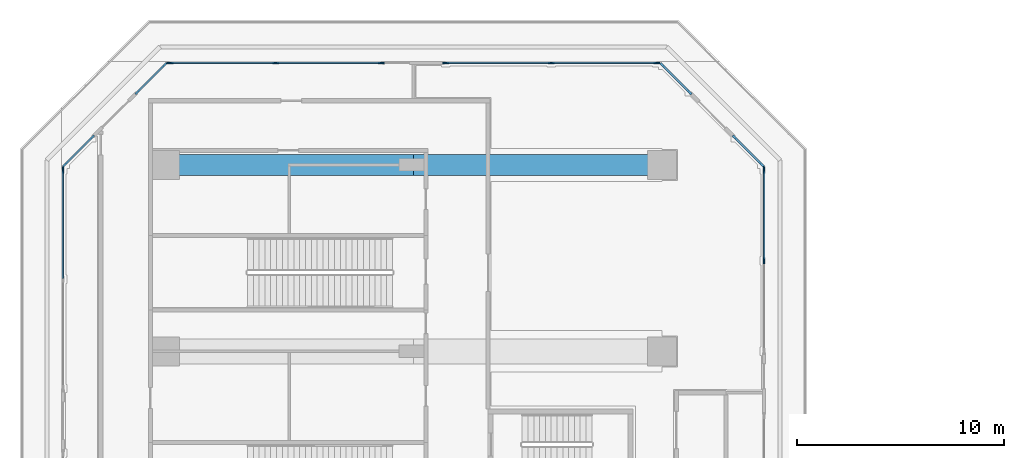
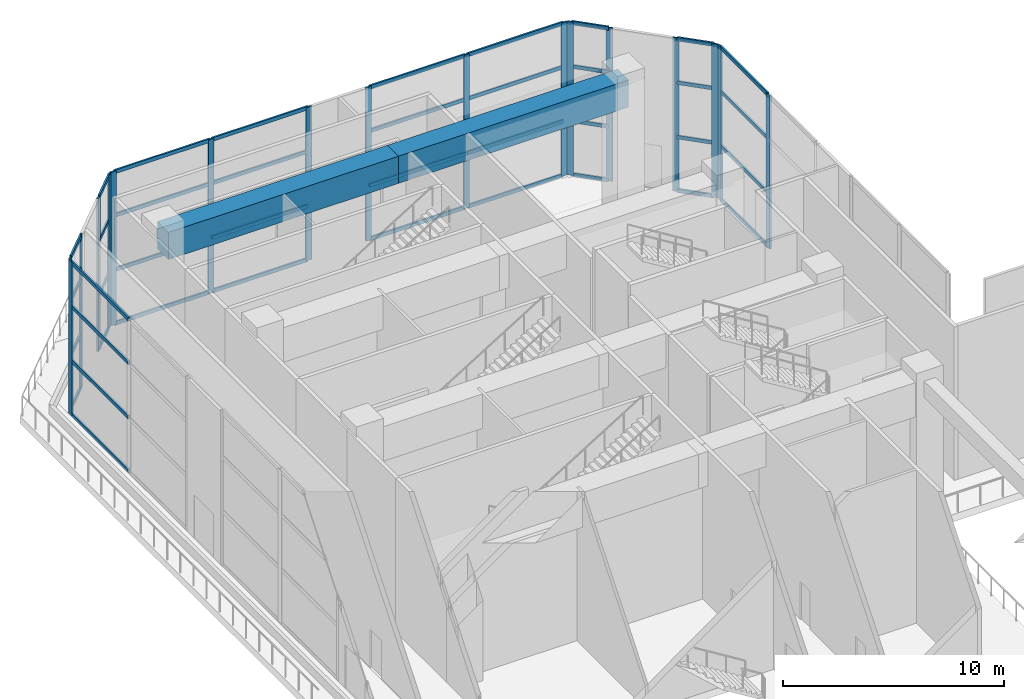
# One storey, part 8 of 28: 57 members, 2 beams, 8 elements without a shape of their own.
"""IFC4 building model written with IfcOpenShell, lengths in metres."""

import ifcopenshell
import ifcopenshell.guid

model = None  # the IFC model being written
_history = None  # IfcOwnerHistory: only IFC2X3 demands one
_inside = {}  # id of a spatial element -> (the spatial element, [elements in it])
_under = {}  # id of a project, library or spatial element -> (it, [spatial elements below it])
_declared = {}  # id of a project -> (the project, [libraries it declares])
_typed = {}  # id of a type object -> (the type object, [elements of that type])
_made_of = {}  # id of a material, layer set ... -> (it, [elements and type objects made of it])


def new_model(schema):
    """Start an empty IFC model of exactly this schema.

    Asked for "IFC4X3", IfcOpenShell would pick the latest addendum, in which some entities
    have other attributes; the version numbers below select the first issue.
    IFC2X3 requires an IfcOwnerHistory on every rooted entity: one is made here for all.
    """
    global model, _history
    if schema == "IFC4X3":
        model = ifcopenshell.file(schema_version=(4, 3, 0, 0))
    else:
        model = ifcopenshell.file(schema=schema)
    _inside.clear()
    _under.clear()
    _declared.clear()
    _typed.clear()
    _made_of.clear()
    _history = None
    if model.schema == "IFC2X3":
        org = make("IfcOrganization", Name="unknown")
        user = make(
            "IfcPersonAndOrganization",
            ThePerson=make("IfcPerson", FamilyName="unknown"),
            TheOrganization=org,
        )
        app = make(
            "IfcApplication",
            ApplicationDeveloper=org,
            Version="unknown",
            ApplicationFullName="unknown",
            ApplicationIdentifier="unknown",
        )
        _history = make(
            "IfcOwnerHistory",
            OwningUser=user,
            OwningApplication=app,
            ChangeAction="ADDED",
            CreationDate=0,
        )
    return model


def make(cls, **values):
    """One entity of the class cls with the attributes given. An attribute that is None is left unset."""
    return model.create_entity(
        cls, **{name: value for name, value in values.items() if value is not None}
    )


def rooted(cls, **values):
    """An entity with a GlobalId (a new one), such as an element, a storey or a relation."""
    return make(cls, GlobalId=ifcopenshell.guid.new(), OwnerHistory=_history, **values)


def si_unit(unit_type, name, prefix=None):
    """IfcSIUnit, for example si_unit("LENGTHUNIT", "METRE", prefix="MILLI")."""
    return make("IfcSIUnit", UnitType=unit_type, Prefix=prefix, Name=name)


def assignment(units):
    """IfcUnitAssignment: the units of a project."""
    return None if units is None else make("IfcUnitAssignment", Units=units)


def point(xyz):
    """IfcCartesianPoint."""
    return None if xyz is None else make("IfcCartesianPoint", Coordinates=xyz)


def direction(xyz):
    """IfcDirection."""
    return None if xyz is None else make("IfcDirection", DirectionRatios=xyz)


def frame(location, z_axis=None, x_axis=None):
    """IfcAxis2Placement3D, a coordinate frame: its origin and axes. An axis left out is left unset."""
    return make(
        "IfcAxis2Placement3D",
        Location=point(location),
        Axis=direction(z_axis),
        RefDirection=direction(x_axis),
    )


def frame_2d(location, x_axis=None):
    """IfcAxis2Placement2D, a coordinate frame in the plane: its origin and x axis."""
    return make(
        "IfcAxis2Placement2D", Location=point(location), RefDirection=direction(x_axis)
    )


def origin():
    """The frame at (0, 0, 0) with its axes left unset."""
    return frame((0.0, 0.0, 0.0))


def origin_2d():
    """The frame at (0, 0) in the plane with its x axis left unset."""
    return frame_2d((0.0, 0.0))


def place(relative_to, where):
    """IfcLocalPlacement: puts the frame where relative to a parent placement (None: the world)."""
    return make(
        "IfcLocalPlacement", PlacementRelTo=relative_to, RelativePlacement=where
    )


def context(
    kind, dimensions, precision=None, world=None, true_north=None, identifier=None
):
    """IfcGeometricRepresentationContext, for example the 3D "Model" context."""
    return make(
        "IfcGeometricRepresentationContext",
        ContextIdentifier=identifier,
        ContextType=kind,
        CoordinateSpaceDimension=dimensions,
        Precision=precision,
        WorldCoordinateSystem=world,
        TrueNorth=true_north,
    )


def subcontext(parent, identifier, kind, view, scale=None):
    """IfcGeometricRepresentationSubContext, for example "Body" below "Model"."""
    return make(
        "IfcGeometricRepresentationSubContext",
        ContextIdentifier=identifier,
        ContextType=kind,
        ParentContext=parent,
        TargetScale=scale,
        TargetView=view,
    )


def project(units=None, contexts=None):
    """IfcProject with its units and contexts."""
    return rooted(
        "IfcProject",
        Name="project",
        RepresentationContexts=contexts,
        UnitsInContext=assignment(units),
    )


def spatial(cls, under=None, at=None, **own):
    """A site, building, storey or space (cls), placed at a placement, below another one or the project."""
    s = rooted(cls, ObjectPlacement=at, **own)
    if under is not None:
        _under.setdefault(under.id(), (under, []))[1].append(s)
    return s


def profile(cls, at=None, kind="AREA", **sizes):
    """A parametric profile (cls). Its sizes go by their IFC names, for example OverallWidth=200.0."""
    return make(cls, ProfileType=kind, Position=at, **sizes)


def rectangle(**sizes):
    """IfcRectangleProfileDef."""
    return profile("IfcRectangleProfileDef", **sizes)


def extrude(swept, where, along, depth):
    """IfcExtrudedAreaSolid: the profile swept, set in the frame where, extruded along a direction by depth."""
    return make(
        "IfcExtrudedAreaSolid",
        SweptArea=swept,
        Position=where,
        ExtrudedDirection=direction(along),
        Depth=depth,
    )


def shape(context_of_items, identifier, shape_type, items):
    """IfcShapeRepresentation: the items that make up one representation, for example the "Body"."""
    return make(
        "IfcShapeRepresentation",
        ContextOfItems=context_of_items,
        RepresentationIdentifier=identifier,
        RepresentationType=shape_type,
        Items=items,
    )


def material(Name=None, Category=None):
    """IfcMaterial."""
    return make("IfcMaterial", Name=Name, Category=Category)


def layer(
    of_material, thickness, ventilated=None, Name=None, Category=None, Priority=None
):
    """IfcMaterialLayer: one layer of a wall or slab, of a material (None: an air gap)."""
    return make(
        "IfcMaterialLayer",
        Material=of_material,
        LayerThickness=thickness,
        IsVentilated=ventilated,
        Name=Name,
        Category=Category,
        Priority=Priority,
    )


def layer_set(layers, Name=None):
    """IfcMaterialLayerSet."""
    return make("IfcMaterialLayerSet", MaterialLayers=layers, LayerSetName=Name)


def material_profile(
    of_material, cross_section, Name=None, Category=None, Priority=None
):
    """IfcMaterialProfile: a cross section and its material."""
    return make(
        "IfcMaterialProfile",
        Name=Name,
        Material=of_material,
        Profile=cross_section,
        Priority=Priority,
        Category=Category,
    )


def profile_set(profiles, Name=None, composite=None):
    """IfcMaterialProfileSet."""
    return make(
        "IfcMaterialProfileSet",
        Name=Name,
        MaterialProfiles=profiles,
        CompositeProfile=composite,
    )


def made_of(thing, what):
    """Note that an element or type object is made of a material, layer set ...; save() writes the relation."""
    if what is not None:
        _made_of.setdefault(what.id(), (what, []))[1].append(thing)
    return thing


def type_object(cls, material=None, **own):
    """A type object (cls), such as IfcWallType, which elements share."""
    return made_of(rooted(cls, **own), material)


def element(
    cls,
    number,
    at=None,
    inside=None,
    cuts=None,
    type_object=None,
    material=None,
    context=None,
    identifier="Body",
    shape_type=None,
    held_by="IfcProductDefinitionShape",
    body=None,
    shapes=None,
    **own,
):
    """One element of the class cls, such as IfcWall. Its Tag is "e" and its number.

    at: its placement. inside: the storey or other place that contains it. cuts: it is an
    opening in that element (IfcRelVoidsElement). A single representation is given by context,
    identifier, shape_type and body (its items); several are given by shapes. held_by: the class
    of the entity that holds the representations. save() writes the other relations.
    """
    e = rooted(cls, Tag="e%d" % number, ObjectPlacement=at, **own)
    if body is not None:
        shapes = [shape(context, identifier, shape_type, body)]
    if shapes is not None:
        e.Representation = make(held_by, Representations=shapes)
    if inside is not None:
        _inside.setdefault(inside.id(), (inside, []))[1].append(e)
    if cuts is not None:
        rooted(
            "IfcRelVoidsElement", RelatingBuildingElement=cuts, RelatedOpeningElement=e
        )
    if type_object is not None:
        _typed.setdefault(type_object.id(), (type_object, []))[1].append(e)
    return made_of(e, material)


def aggregate(whole, parts):
    """IfcRelAggregates: a whole, such as a stair, and the parts it consists of."""
    return rooted("IfcRelAggregates", RelatingObject=whole, RelatedObjects=parts)


def save(model, path):
    """Write the relations noted so far, then the file.

    IfcRelAggregates (storeys below a building ...), IfcRelContainedInSpatialStructure (elements
    in a storey), IfcRelDefinesByType, IfcRelAssociatesMaterial and IfcRelDeclares: one each for
    every whole, place, type object, material and project.
    """
    for whole, parts in _under.values():
        aggregate(whole, parts)
    for where, things in _inside.values():
        rooted(
            "IfcRelContainedInSpatialStructure",
            RelatedElements=things,
            RelatingStructure=where,
        )
    for kind, things in _typed.values():
        rooted("IfcRelDefinesByType", RelatedObjects=things, RelatingType=kind)
    for what, things in _made_of.values():
        rooted("IfcRelAssociatesMaterial", RelatedObjects=things, RelatingMaterial=what)
    for by, libraries in _declared.values():
        rooted("IfcRelDeclares", RelatingContext=by, RelatedDefinitions=libraries)
    model.write(path)


model = new_model("IFC4")

# Units and contexts
model_context = context("Model", 3, precision=1e-05, world=origin(), true_north=direction((0.0, 1.0)))
body_context = subcontext(model_context, "Body", "Model", "MODEL_VIEW")
ifc_project = project(units=[si_unit("LENGTHUNIT", "METRE"), si_unit("AREAUNIT", "SQUARE_METRE"), si_unit("VOLUMEUNIT", "CUBIC_METRE"), si_unit("PLANEANGLEUNIT", "RADIAN"), si_unit("MASSUNIT", "GRAM", prefix="KILO")], contexts=[model_context])

# Site, building, storey
site_placement = place(None, origin())
site = spatial("IfcSite", under=ifc_project, at=site_placement, CompositionType="ELEMENT")
building_placement = place(site_placement, origin())
building = spatial("IfcBuilding", under=site, at=building_placement, Name="Chenar Terraces", CompositionType="ELEMENT")
storey_placement = place(building_placement, frame((0.0, 0.0, 26.39990234375)))
storey = spatial("IfcBuildingStorey", under=building, at=storey_placement, Name="L05", CompositionType="ELEMENT", Elevation=26.39990234375)

# Curtain wall, members
ifc_material_1 = material(Name="Aluminium framed glazing", Category="aluminium")
ifc_layer = layer(ifc_material_1, 0.14990234375)
ifc_layer_set = layer_set([ifc_layer], Name="Aluminium framed glazing")
curtain_wall_type = type_object("IfcCurtainWallType", Name="Hall curtain wall", PredefinedType="NOTDEFINED", material=ifc_layer_set)
placement = place(storey_placement, origin())
curtain_wall_1 = element("IfcCurtainWall", 1, at=placement, inside=storey, type_object=curtain_wall_type, Name="Hall curtain wall", PredefinedType="NOTDEFINED")
ifc_material_2 = material(Name="Aluminium", Category="aluminium")
ifc_material_profile_1 = material_profile(ifc_material_2, rectangle(XDim=0.090087890625, YDim=0.300048828125, at=origin_2d()), Name="Hall glazing mullion 90 x 300")
ifc_profile_set_1 = profile_set([ifc_material_profile_1], Name="Aluminium")
member_type_1 = type_object("IfcMemberType", Name="Hall glazing mullion 90 x 300", PredefinedType="MULLION", material=ifc_profile_set_1)
member_1_placement = place(storey_placement, frame((28.925048828125, 58.380859375, 0.0), z_axis=(0.0, 0.0, 1.0), x_axis=(-1.0, 0.0, 0.0)))
member_1 = element("IfcMember", 2, at=member_1_placement, type_object=member_type_1, Name="CW5-06c1 mullion 2", PredefinedType="MULLION", context=body_context, shape_type="SweptSolid", body=[
    extrude(rectangle(XDim=0.090087890625, YDim=0.300048828125, at=origin_2d()), origin(), (0.0, 0.0, 1.0), 8.4501953125),
])
member_2_placement = place(storey_placement, frame((28.925048828125, 62.754638671875, 0.0), z_axis=(0.0, 0.0, 1.0), x_axis=(-1.0, 0.0, 0.0)))
member_2 = element("IfcMember", 3, at=member_2_placement, type_object=member_type_1, Name="CW5-06c1 mullion 3", PredefinedType="MULLION", context=body_context, shape_type="SweptSolid", body=[
    extrude(rectangle(XDim=0.090087890625, YDim=0.300048828125, at=origin_2d()), origin(), (0.0, 0.0, 1.0), 8.4501953125),
])

curtain_wall_2 = element("IfcCurtainWall", 4, at=placement, inside=storey, type_object=curtain_wall_type, Name="Hall curtain wall", PredefinedType="NOTDEFINED")
member_3_placement = place(storey_placement, frame((28.80908203125, 63.03466796875, 0.0), z_axis=(0.0, 0.0, 1.0), x_axis=(-0.707106781187, -0.707106781187, 0.0)))
member_3 = element("IfcMember", 5, at=member_3_placement, type_object=member_type_1, Name="CW5-07c0 mullion 1", PredefinedType="MULLION", context=body_context, shape_type="SweptSolid", body=[
    extrude(rectangle(XDim=0.090087890625, YDim=0.300048828125, at=origin_2d()), origin(), (0.0, 0.0, 1.0), 8.4501953125),
])
member_4_placement = place(storey_placement, frame((27.523193359375, 64.320556640625, 0.0), z_axis=(0.0, 0.0, 1.0), x_axis=(-0.707106781187, -0.707106781187, 0.0)))
member_4 = element("IfcMember", 6, at=member_4_placement, type_object=member_type_1, Name="CW5-07c0 mullion 2", PredefinedType="MULLION", context=body_context, shape_type="SweptSolid", body=[
    extrude(rectangle(XDim=0.090087890625, YDim=0.300048828125, at=origin_2d()), origin(), (0.0, 0.0, 1.0), 8.4501953125),
])

curtain_wall_3 = element("IfcCurtainWall", 7, at=placement, inside=storey, type_object=curtain_wall_type, Name="Hall curtain wall", PredefinedType="NOTDEFINED")
member_5_placement = place(storey_placement, frame((25.320556640625, 66.523193359375, 0.0), z_axis=(0.0, 0.0, 1.0), x_axis=(-0.707106781187, -0.707106781187, 0.0)))
member_5 = element("IfcMember", 8, at=member_5_placement, type_object=member_type_1, Name="CW5-07c1 mullion 1", PredefinedType="MULLION", context=body_context, shape_type="SweptSolid", body=[
    extrude(rectangle(XDim=0.090087890625, YDim=0.300048828125, at=origin_2d()), origin(), (0.0, 0.0, 1.0), 8.4501953125),
])
member_6_placement = place(storey_placement, frame((24.03466796875, 67.80908203125, 0.0), z_axis=(0.0, 0.0, 1.0), x_axis=(-0.707106781187, -0.707106781187, 0.0)))
member_6 = element("IfcMember", 9, at=member_6_placement, type_object=member_type_1, Name="CW5-07c1 mullion 2", PredefinedType="MULLION", context=body_context, shape_type="SweptSolid", body=[
    extrude(rectangle(XDim=0.090087890625, YDim=0.300048828125, at=origin_2d()), origin(), (0.0, 0.0, 1.0), 8.4501953125),
])

curtain_wall_4 = element("IfcCurtainWall", 10, at=placement, inside=storey, type_object=curtain_wall_type, Name="Hall curtain wall", PredefinedType="NOTDEFINED")
member_7_placement = place(storey_placement, frame((23.754638671875, 67.925048828125, 0.0), z_axis=(0.0, 0.0, 1.0), x_axis=(0.0, -1.0, 0.0)))
member_7 = element("IfcMember", 11, at=member_7_placement, type_object=member_type_1, Name="CW5-08c0 mullion 1", PredefinedType="MULLION", context=body_context, shape_type="SweptSolid", body=[
    extrude(rectangle(XDim=0.090087890625, YDim=0.300048828125, at=origin_2d()), origin(), (0.0, 0.0, 1.0), 8.4501953125),
])
member_8_placement = place(storey_placement, frame((18.656005859375, 67.925048828125, 0.0), z_axis=(0.0, 0.0, 1.0), x_axis=(0.0, -1.0, 0.0)))
member_8 = element("IfcMember", 12, at=member_8_placement, type_object=member_type_1, Name="CW5-08c0 mullion 2", PredefinedType="MULLION", context=body_context, shape_type="SweptSolid", body=[
    extrude(rectangle(XDim=0.090087890625, YDim=0.300048828125, at=origin_2d()), origin(), (0.0, 0.0, 1.0), 8.4501953125),
])
member_9_placement = place(storey_placement, frame((13.557373046875, 67.925048828125, 0.0), z_axis=(0.0, 0.0, 1.0), x_axis=(0.0, -1.0, 0.0)))
member_9 = element("IfcMember", 13, at=member_9_placement, type_object=member_type_1, Name="CW5-08c0 mullion 3", PredefinedType="MULLION", context=body_context, shape_type="SweptSolid", body=[
    extrude(rectangle(XDim=0.090087890625, YDim=0.300048828125, at=origin_2d()), origin(), (0.0, 0.0, 1.0), 8.4501953125),
])

curtain_wall_5 = element("IfcCurtainWall", 14, at=placement, inside=storey, type_object=curtain_wall_type, Name="Hall curtain wall", PredefinedType="NOTDEFINED")
member_10_placement = place(storey_placement, frame((10.442626953125, 67.925048828125, 0.0), z_axis=(0.0, 0.0, 1.0), x_axis=(0.0, -1.0, 0.0)))
member_10 = element("IfcMember", 15, at=member_10_placement, type_object=member_type_1, Name="CW5-08c1 mullion 1", PredefinedType="MULLION", context=body_context, shape_type="SweptSolid", body=[
    extrude(rectangle(XDim=0.090087890625, YDim=0.300048828125, at=origin_2d()), origin(), (0.0, 0.0, 1.0), 8.4501953125),
])
member_11_placement = place(storey_placement, frame((5.343994140625, 67.925048828125, 0.0), z_axis=(0.0, 0.0, 1.0), x_axis=(0.0, -1.0, 0.0)))
member_11 = element("IfcMember", 16, at=member_11_placement, type_object=member_type_1, Name="CW5-08c1 mullion 2", PredefinedType="MULLION", context=body_context, shape_type="SweptSolid", body=[
    extrude(rectangle(XDim=0.090087890625, YDim=0.300048828125, at=origin_2d()), origin(), (0.0, 0.0, 1.0), 8.4501953125),
])
member_12_placement = place(storey_placement, frame((0.245361328125, 67.925048828125, 0.0), z_axis=(0.0, 0.0, 1.0), x_axis=(0.0, -1.0, 0.0)))
member_12 = element("IfcMember", 17, at=member_12_placement, type_object=member_type_1, Name="CW5-08c1 mullion 3", PredefinedType="MULLION", context=body_context, shape_type="SweptSolid", body=[
    extrude(rectangle(XDim=0.090087890625, YDim=0.300048828125, at=origin_2d()), origin(), (0.0, 0.0, 1.0), 8.4501953125),
])

curtain_wall_6 = element("IfcCurtainWall", 18, at=placement, inside=storey, type_object=curtain_wall_type, Name="Hall curtain wall", PredefinedType="NOTDEFINED")
member_13_placement = place(storey_placement, frame((-0.03466796875, 67.80908203125, 0.0), z_axis=(0.0, 0.0, 1.0), x_axis=(0.707106781187, -0.707106781187, 0.0)))
member_13 = element("IfcMember", 19, at=member_13_placement, type_object=member_type_1, Name="CW5-09c0 mullion 1", PredefinedType="MULLION", context=body_context, shape_type="SweptSolid", body=[
    extrude(rectangle(XDim=0.090087890625, YDim=0.300048828125, at=origin_2d()), origin(), (0.0, 0.0, 1.0), 8.4501953125),
])
member_14_placement = place(storey_placement, frame((-1.320556640625, 66.523193359375, 0.0), z_axis=(0.0, 0.0, 1.0), x_axis=(0.707106781187, -0.707106781187, 0.0)))
member_14 = element("IfcMember", 20, at=member_14_placement, type_object=member_type_1, Name="CW5-09c0 mullion 2", PredefinedType="MULLION", context=body_context, shape_type="SweptSolid", body=[
    extrude(rectangle(XDim=0.090087890625, YDim=0.300048828125, at=origin_2d()), origin(), (0.0, 0.0, 1.0), 8.4501953125),
])

curtain_wall_7 = element("IfcCurtainWall", 21, at=placement, inside=storey, type_object=curtain_wall_type, Name="Hall curtain wall", PredefinedType="NOTDEFINED")
member_15_placement = place(storey_placement, frame((-3.523193359375, 64.320556640625, 0.0), z_axis=(0.0, 0.0, 1.0), x_axis=(0.707106781187, -0.707106781187, 0.0)))
member_15 = element("IfcMember", 22, at=member_15_placement, type_object=member_type_1, Name="CW5-09c1 mullion 1", PredefinedType="MULLION", context=body_context, shape_type="SweptSolid", body=[
    extrude(rectangle(XDim=0.090087890625, YDim=0.300048828125, at=origin_2d()), origin(), (0.0, 0.0, 1.0), 8.4501953125),
])
member_16_placement = place(storey_placement, frame((-4.80908203125, 63.03466796875, 0.0), z_axis=(0.0, 0.0, 1.0), x_axis=(0.707106781187, -0.707106781187, 0.0)))
member_16 = element("IfcMember", 23, at=member_16_placement, type_object=member_type_1, Name="CW5-09c1 mullion 2", PredefinedType="MULLION", context=body_context, shape_type="SweptSolid", body=[
    extrude(rectangle(XDim=0.090087890625, YDim=0.300048828125, at=origin_2d()), origin(), (0.0, 0.0, 1.0), 8.4501953125),
])

# Curtain wall, member
curtain_wall_8 = element("IfcCurtainWall", 24, at=placement, inside=storey, type_object=curtain_wall_type, Name="Hall curtain wall", PredefinedType="NOTDEFINED")
member_17_placement = place(storey_placement, frame((-4.925048828125, 62.754638671875, 0.0), z_axis=(0.0, 0.0, 1.0), x_axis=(1.0, 0.0, 0.0)))
member_17 = element("IfcMember", 25, at=member_17_placement, type_object=member_type_1, Name="CW5-10c0 mullion 1", PredefinedType="MULLION", context=body_context, shape_type="SweptSolid", body=[
    extrude(rectangle(XDim=0.090087890625, YDim=0.300048828125, at=origin_2d()), origin(), (0.0, 0.0, 1.0), 8.4501953125),
])

# Member
ifc_material_3 = material(Name="Aluminium", Category="aluminium")
ifc_material_profile_2 = material_profile(ifc_material_3, rectangle(XDim=0.090087890625, YDim=0.199951171875, at=origin_2d()), Name="Hall glazing transom 90 x 200")
ifc_profile_set_2 = profile_set([ifc_material_profile_2], Name="Aluminium")
member_type_2 = type_object("IfcMemberType", Name="Hall glazing transom 90 x 200", PredefinedType="USERDEFINED", material=ifc_profile_set_2)
member_18_placement = place(storey_placement, frame((28.925048828125, 58.426025390625, 0.045166015625), z_axis=(0.0, 1.0, 0.0), x_axis=(-1.0, 0.0, 0.0)))
member_18 = element("IfcMember", 26, at=member_18_placement, type_object=member_type_2, Name="CW5-06c1 transom 2.1", ObjectType="TRANSOM", PredefinedType="USERDEFINED", context=body_context, shape_type="SweptSolid", body=[
    extrude(rectangle(XDim=0.090087890625, YDim=0.199951171875, at=origin_2d()), origin(), (0.0, 0.0, 1.0), 4.28369140625),
])

member_19_placement = place(storey_placement, frame((28.925048828125, 58.426025390625, 3.0), z_axis=(0.0, 1.0, 0.0), x_axis=(-1.0, 0.0, 0.0)))
member_19 = element("IfcMember", 27, at=member_19_placement, type_object=member_type_2, Name="CW5-06c1 transom 2.2", ObjectType="TRANSOM", PredefinedType="USERDEFINED", context=body_context, shape_type="SweptSolid", body=[
    extrude(rectangle(XDim=0.090087890625, YDim=0.199951171875, at=origin_2d()), origin(), (0.0, 0.0, 1.0), 4.28369140625),
])

member_20_placement = place(storey_placement, frame((28.925048828125, 58.426025390625, 6.0), z_axis=(0.0, 1.0, 0.0), x_axis=(-1.0, 0.0, 0.0)))
member_20 = element("IfcMember", 28, at=member_20_placement, type_object=member_type_2, Name="CW5-06c1 transom 2.3", ObjectType="TRANSOM", PredefinedType="USERDEFINED", context=body_context, shape_type="SweptSolid", body=[
    extrude(rectangle(XDim=0.090087890625, YDim=0.199951171875, at=origin_2d()), origin(), (0.0, 0.0, 1.0), 4.28369140625),
])

member_21_placement = place(storey_placement, frame((28.925048828125, 58.426025390625, 8.405029296875), z_axis=(0.0, 1.0, 0.0), x_axis=(-1.0, 0.0, 0.0)))
member_21 = element("IfcMember", 29, at=member_21_placement, type_object=member_type_2, Name="CW5-06c1 transom 2.4", ObjectType="TRANSOM", PredefinedType="USERDEFINED", context=body_context, shape_type="SweptSolid", body=[
    extrude(rectangle(XDim=0.090087890625, YDim=0.199951171875, at=origin_2d()), origin(), (0.0, 0.0, 1.0), 4.28369140625),
])

aggregate(curtain_wall_1, [member_1, member_2, member_18, member_19, member_20, member_21])

member_22_placement = place(storey_placement, frame((28.77734375, 63.06640625, 0.045166015625), z_axis=(-0.707177396533, 0.707036158787, 0.0), x_axis=(-0.707036158787, -0.707177396533, 0.0)))
member_22 = element("IfcMember", 30, at=member_22_placement, type_object=member_type_2, Name="CW5-07c0 transom 1.1", ObjectType="TRANSOM", PredefinedType="USERDEFINED", context=body_context, shape_type="SweptSolid", body=[
    extrude(rectangle(XDim=0.090087890625, YDim=0.199951171875, at=origin_2d()), origin(), (0.0, 0.0, 1.0), 1.728515625),
])

member_23_placement = place(storey_placement, frame((28.77734375, 63.06640625, 3.0), z_axis=(-0.707177396533, 0.707036158787, 0.0), x_axis=(-0.707036158787, -0.707177396533, 0.0)))
member_23 = element("IfcMember", 31, at=member_23_placement, type_object=member_type_2, Name="CW5-07c0 transom 1.2", ObjectType="TRANSOM", PredefinedType="USERDEFINED", context=body_context, shape_type="SweptSolid", body=[
    extrude(rectangle(XDim=0.090087890625, YDim=0.199951171875, at=origin_2d()), origin(), (0.0, 0.0, 1.0), 1.728515625),
])

member_24_placement = place(storey_placement, frame((28.77734375, 63.06640625, 6.0), z_axis=(-0.707177396533, 0.707036158787, 0.0), x_axis=(-0.707036158787, -0.707177396533, 0.0)))
member_24 = element("IfcMember", 32, at=member_24_placement, type_object=member_type_2, Name="CW5-07c0 transom 1.3", ObjectType="TRANSOM", PredefinedType="USERDEFINED", context=body_context, shape_type="SweptSolid", body=[
    extrude(rectangle(XDim=0.090087890625, YDim=0.199951171875, at=origin_2d()), origin(), (0.0, 0.0, 1.0), 1.728515625),
])

member_25_placement = place(storey_placement, frame((28.77734375, 63.06640625, 8.405029296875), z_axis=(-0.707177396533, 0.707036158787, 0.0), x_axis=(-0.707036158787, -0.707177396533, 0.0)))
member_25 = element("IfcMember", 33, at=member_25_placement, type_object=member_type_2, Name="CW5-07c0 transom 1.4", ObjectType="TRANSOM", PredefinedType="USERDEFINED", context=body_context, shape_type="SweptSolid", body=[
    extrude(rectangle(XDim=0.090087890625, YDim=0.199951171875, at=origin_2d()), origin(), (0.0, 0.0, 1.0), 1.728515625),
])

aggregate(curtain_wall_2, [member_3, member_4, member_22, member_23, member_24, member_25])

member_26_placement = place(storey_placement, frame((25.28857421875, 66.554931640625, 0.045166015625), z_axis=(-0.707036158787, 0.707177396533, 0.0), x_axis=(-0.707177396533, -0.707036158787, 0.0)))
member_26 = element("IfcMember", 34, at=member_26_placement, type_object=member_type_2, Name="CW5-07c1 transom 1.1", ObjectType="TRANSOM", PredefinedType="USERDEFINED", context=body_context, shape_type="SweptSolid", body=[
    extrude(rectangle(XDim=0.090087890625, YDim=0.199951171875, at=origin_2d()), origin(), (0.0, 0.0, 1.0), 1.728515625),
])

member_27_placement = place(storey_placement, frame((25.28857421875, 66.554931640625, 3.0), z_axis=(-0.707036158787, 0.707177396533, 0.0), x_axis=(-0.707177396533, -0.707036158787, 0.0)))
member_27 = element("IfcMember", 35, at=member_27_placement, type_object=member_type_2, Name="CW5-07c1 transom 1.2", ObjectType="TRANSOM", PredefinedType="USERDEFINED", context=body_context, shape_type="SweptSolid", body=[
    extrude(rectangle(XDim=0.090087890625, YDim=0.199951171875, at=origin_2d()), origin(), (0.0, 0.0, 1.0), 1.728515625),
])

member_28_placement = place(storey_placement, frame((25.28857421875, 66.554931640625, 6.0), z_axis=(-0.707036158787, 0.707177396533, 0.0), x_axis=(-0.707177396533, -0.707036158787, 0.0)))
member_28 = element("IfcMember", 36, at=member_28_placement, type_object=member_type_2, Name="CW5-07c1 transom 1.3", ObjectType="TRANSOM", PredefinedType="USERDEFINED", context=body_context, shape_type="SweptSolid", body=[
    extrude(rectangle(XDim=0.090087890625, YDim=0.199951171875, at=origin_2d()), origin(), (0.0, 0.0, 1.0), 1.728515625),
])

member_29_placement = place(storey_placement, frame((25.28857421875, 66.554931640625, 8.405029296875), z_axis=(-0.707036158787, 0.707177396533, 0.0), x_axis=(-0.707177396533, -0.707036158787, 0.0)))
member_29 = element("IfcMember", 37, at=member_29_placement, type_object=member_type_2, Name="CW5-07c1 transom 1.4", ObjectType="TRANSOM", PredefinedType="USERDEFINED", context=body_context, shape_type="SweptSolid", body=[
    extrude(rectangle(XDim=0.090087890625, YDim=0.199951171875, at=origin_2d()), origin(), (0.0, 0.0, 1.0), 1.728515625),
])

aggregate(curtain_wall_3, [member_5, member_6, member_26, member_27, member_28, member_29])

member_30_placement = place(storey_placement, frame((23.709716796875, 67.925048828125, 0.045166015625), z_axis=(-1.0, 0.0, 0.0), x_axis=(0.0, -1.0, 0.0)))
member_30 = element("IfcMember", 38, at=member_30_placement, type_object=member_type_2, Name="CW5-08c0 transom 1.1", ObjectType="TRANSOM", PredefinedType="USERDEFINED", context=body_context, shape_type="SweptSolid", body=[
    extrude(rectangle(XDim=0.090087890625, YDim=0.199951171875, at=origin_2d()), origin(), (0.0, 0.0, 1.0), 5.008544921875),
])

member_31_placement = place(storey_placement, frame((23.709716796875, 67.925048828125, 3.0), z_axis=(-1.0, 0.0, 0.0), x_axis=(0.0, -1.0, 0.0)))
member_31 = element("IfcMember", 39, at=member_31_placement, type_object=member_type_2, Name="CW5-08c0 transom 1.2", ObjectType="TRANSOM", PredefinedType="USERDEFINED", context=body_context, shape_type="SweptSolid", body=[
    extrude(rectangle(XDim=0.090087890625, YDim=0.199951171875, at=origin_2d()), origin(), (0.0, 0.0, 1.0), 5.008544921875),
])

member_32_placement = place(storey_placement, frame((23.709716796875, 67.925048828125, 6.0), z_axis=(-1.0, 0.0, 0.0), x_axis=(0.0, -1.0, 0.0)))
member_32 = element("IfcMember", 40, at=member_32_placement, type_object=member_type_2, Name="CW5-08c0 transom 1.3", ObjectType="TRANSOM", PredefinedType="USERDEFINED", context=body_context, shape_type="SweptSolid", body=[
    extrude(rectangle(XDim=0.090087890625, YDim=0.199951171875, at=origin_2d()), origin(), (0.0, 0.0, 1.0), 5.008544921875),
])

member_33_placement = place(storey_placement, frame((23.709716796875, 67.925048828125, 8.405029296875), z_axis=(-1.0, 0.0, 0.0), x_axis=(0.0, -1.0, 0.0)))
member_33 = element("IfcMember", 41, at=member_33_placement, type_object=member_type_2, Name="CW5-08c0 transom 1.4", ObjectType="TRANSOM", PredefinedType="USERDEFINED", context=body_context, shape_type="SweptSolid", body=[
    extrude(rectangle(XDim=0.090087890625, YDim=0.199951171875, at=origin_2d()), origin(), (0.0, 0.0, 1.0), 5.008544921875),
])

member_34_placement = place(storey_placement, frame((18.611083984375, 67.925048828125, 0.045166015625), z_axis=(-1.0, 0.0, 0.0), x_axis=(0.0, -1.0, 0.0)))
member_34 = element("IfcMember", 42, at=member_34_placement, type_object=member_type_2, Name="CW5-08c0 transom 2.1", ObjectType="TRANSOM", PredefinedType="USERDEFINED", context=body_context, shape_type="SweptSolid", body=[
    extrude(rectangle(XDim=0.090087890625, YDim=0.199951171875, at=origin_2d()), origin(), (0.0, 0.0, 1.0), 5.008544921875),
])

member_35_placement = place(storey_placement, frame((18.611083984375, 67.925048828125, 3.0), z_axis=(-1.0, 0.0, 0.0), x_axis=(0.0, -1.0, 0.0)))
member_35 = element("IfcMember", 43, at=member_35_placement, type_object=member_type_2, Name="CW5-08c0 transom 2.2", ObjectType="TRANSOM", PredefinedType="USERDEFINED", context=body_context, shape_type="SweptSolid", body=[
    extrude(rectangle(XDim=0.090087890625, YDim=0.199951171875, at=origin_2d()), origin(), (0.0, 0.0, 1.0), 5.008544921875),
])

member_36_placement = place(storey_placement, frame((18.611083984375, 67.925048828125, 6.0), z_axis=(-1.0, 0.0, 0.0), x_axis=(0.0, -1.0, 0.0)))
member_36 = element("IfcMember", 44, at=member_36_placement, type_object=member_type_2, Name="CW5-08c0 transom 2.3", ObjectType="TRANSOM", PredefinedType="USERDEFINED", context=body_context, shape_type="SweptSolid", body=[
    extrude(rectangle(XDim=0.090087890625, YDim=0.199951171875, at=origin_2d()), origin(), (0.0, 0.0, 1.0), 5.008544921875),
])

member_37_placement = place(storey_placement, frame((18.611083984375, 67.925048828125, 8.405029296875), z_axis=(-1.0, 0.0, 0.0), x_axis=(0.0, -1.0, 0.0)))
member_37 = element("IfcMember", 45, at=member_37_placement, type_object=member_type_2, Name="CW5-08c0 transom 2.4", ObjectType="TRANSOM", PredefinedType="USERDEFINED", context=body_context, shape_type="SweptSolid", body=[
    extrude(rectangle(XDim=0.090087890625, YDim=0.199951171875, at=origin_2d()), origin(), (0.0, 0.0, 1.0), 5.008544921875),
])

aggregate(curtain_wall_4, [member_7, member_8, member_9, member_30, member_31, member_32, member_33, member_34, member_35, member_36, member_37])

member_38_placement = place(storey_placement, frame((10.3974609375, 67.925048828125, 0.045166015625), z_axis=(-1.0, 0.0, 0.0), x_axis=(0.0, -1.0, 0.0)))
member_38 = element("IfcMember", 46, at=member_38_placement, type_object=member_type_2, Name="CW5-08c1 transom 1.1", ObjectType="TRANSOM", PredefinedType="USERDEFINED", context=body_context, shape_type="SweptSolid", body=[
    extrude(rectangle(XDim=0.090087890625, YDim=0.199951171875, at=origin_2d()), origin(), (0.0, 0.0, 1.0), 5.008544921875),
])

member_39_placement = place(storey_placement, frame((10.3974609375, 67.925048828125, 3.0), z_axis=(-1.0, 0.0, 0.0), x_axis=(0.0, -1.0, 0.0)))
member_39 = element("IfcMember", 47, at=member_39_placement, type_object=member_type_2, Name="CW5-08c1 transom 1.2", ObjectType="TRANSOM", PredefinedType="USERDEFINED", context=body_context, shape_type="SweptSolid", body=[
    extrude(rectangle(XDim=0.090087890625, YDim=0.199951171875, at=origin_2d()), origin(), (0.0, 0.0, 1.0), 5.008544921875),
])

member_40_placement = place(storey_placement, frame((10.3974609375, 67.925048828125, 6.0), z_axis=(-1.0, 0.0, 0.0), x_axis=(0.0, -1.0, 0.0)))
member_40 = element("IfcMember", 48, at=member_40_placement, type_object=member_type_2, Name="CW5-08c1 transom 1.3", ObjectType="TRANSOM", PredefinedType="USERDEFINED", context=body_context, shape_type="SweptSolid", body=[
    extrude(rectangle(XDim=0.090087890625, YDim=0.199951171875, at=origin_2d()), origin(), (0.0, 0.0, 1.0), 5.008544921875),
])

member_41_placement = place(storey_placement, frame((10.3974609375, 67.925048828125, 8.405029296875), z_axis=(-1.0, 0.0, 0.0), x_axis=(0.0, -1.0, 0.0)))
member_41 = element("IfcMember", 49, at=member_41_placement, type_object=member_type_2, Name="CW5-08c1 transom 1.4", ObjectType="TRANSOM", PredefinedType="USERDEFINED", context=body_context, shape_type="SweptSolid", body=[
    extrude(rectangle(XDim=0.090087890625, YDim=0.199951171875, at=origin_2d()), origin(), (0.0, 0.0, 1.0), 5.008544921875),
])

member_42_placement = place(storey_placement, frame((5.298828125, 67.925048828125, 0.045166015625), z_axis=(-1.0, 0.0, 0.0), x_axis=(0.0, -1.0, 0.0)))
member_42 = element("IfcMember", 50, at=member_42_placement, type_object=member_type_2, Name="CW5-08c1 transom 2.1", ObjectType="TRANSOM", PredefinedType="USERDEFINED", context=body_context, shape_type="SweptSolid", body=[
    extrude(rectangle(XDim=0.090087890625, YDim=0.199951171875, at=origin_2d()), origin(), (0.0, 0.0, 1.0), 5.008544921875),
])

member_43_placement = place(storey_placement, frame((5.298828125, 67.925048828125, 3.0), z_axis=(-1.0, 0.0, 0.0), x_axis=(0.0, -1.0, 0.0)))
member_43 = element("IfcMember", 51, at=member_43_placement, type_object=member_type_2, Name="CW5-08c1 transom 2.2", ObjectType="TRANSOM", PredefinedType="USERDEFINED", context=body_context, shape_type="SweptSolid", body=[
    extrude(rectangle(XDim=0.090087890625, YDim=0.199951171875, at=origin_2d()), origin(), (0.0, 0.0, 1.0), 5.008544921875),
])

member_44_placement = place(storey_placement, frame((5.298828125, 67.925048828125, 6.0), z_axis=(-1.0, 0.0, 0.0), x_axis=(0.0, -1.0, 0.0)))
member_44 = element("IfcMember", 52, at=member_44_placement, type_object=member_type_2, Name="CW5-08c1 transom 2.3", ObjectType="TRANSOM", PredefinedType="USERDEFINED", context=body_context, shape_type="SweptSolid", body=[
    extrude(rectangle(XDim=0.090087890625, YDim=0.199951171875, at=origin_2d()), origin(), (0.0, 0.0, 1.0), 5.008544921875),
])

member_45_placement = place(storey_placement, frame((5.298828125, 67.925048828125, 8.405029296875), z_axis=(-1.0, 0.0, 0.0), x_axis=(0.0, -1.0, 0.0)))
member_45 = element("IfcMember", 53, at=member_45_placement, type_object=member_type_2, Name="CW5-08c1 transom 2.4", ObjectType="TRANSOM", PredefinedType="USERDEFINED", context=body_context, shape_type="SweptSolid", body=[
    extrude(rectangle(XDim=0.090087890625, YDim=0.199951171875, at=origin_2d()), origin(), (0.0, 0.0, 1.0), 5.008544921875),
])

aggregate(curtain_wall_5, [member_10, member_11, member_12, member_38, member_39, member_40, member_41, member_42, member_43, member_44, member_45])

member_46_placement = place(storey_placement, frame((-0.06640625, 67.77734375, 0.045166015625), z_axis=(-0.707036158787, -0.707177396533, 0.0), x_axis=(0.707177396533, -0.707036158787, 0.0)))
member_46 = element("IfcMember", 54, at=member_46_placement, type_object=member_type_2, Name="CW5-09c0 transom 1.1", ObjectType="TRANSOM", PredefinedType="USERDEFINED", context=body_context, shape_type="SweptSolid", body=[
    extrude(rectangle(XDim=0.090087890625, YDim=0.199951171875, at=origin_2d()), origin(), (0.0, 0.0, 1.0), 1.728515625),
])

member_47_placement = place(storey_placement, frame((-0.06640625, 67.77734375, 3.0), z_axis=(-0.707036158787, -0.707177396533, 0.0), x_axis=(0.707177396533, -0.707036158787, 0.0)))
member_47 = element("IfcMember", 55, at=member_47_placement, type_object=member_type_2, Name="CW5-09c0 transom 1.2", ObjectType="TRANSOM", PredefinedType="USERDEFINED", context=body_context, shape_type="SweptSolid", body=[
    extrude(rectangle(XDim=0.090087890625, YDim=0.199951171875, at=origin_2d()), origin(), (0.0, 0.0, 1.0), 1.728515625),
])

member_48_placement = place(storey_placement, frame((-0.06640625, 67.77734375, 6.0), z_axis=(-0.707036158787, -0.707177396533, 0.0), x_axis=(0.707177396533, -0.707036158787, 0.0)))
member_48 = element("IfcMember", 56, at=member_48_placement, type_object=member_type_2, Name="CW5-09c0 transom 1.3", ObjectType="TRANSOM", PredefinedType="USERDEFINED", context=body_context, shape_type="SweptSolid", body=[
    extrude(rectangle(XDim=0.090087890625, YDim=0.199951171875, at=origin_2d()), origin(), (0.0, 0.0, 1.0), 1.728515625),
])

member_49_placement = place(storey_placement, frame((-0.06640625, 67.77734375, 8.405029296875), z_axis=(-0.707036158787, -0.707177396533, 0.0), x_axis=(0.707177396533, -0.707036158787, 0.0)))
member_49 = element("IfcMember", 57, at=member_49_placement, type_object=member_type_2, Name="CW5-09c0 transom 1.4", ObjectType="TRANSOM", PredefinedType="USERDEFINED", context=body_context, shape_type="SweptSolid", body=[
    extrude(rectangle(XDim=0.090087890625, YDim=0.199951171875, at=origin_2d()), origin(), (0.0, 0.0, 1.0), 1.728515625),
])

aggregate(curtain_wall_6, [member_13, member_14, member_46, member_47, member_48, member_49])

member_50_placement = place(storey_placement, frame((-3.554931640625, 64.28857421875, 0.045166015625), z_axis=(-0.707177396533, -0.707036158787, 0.0), x_axis=(0.707036158787, -0.707177396533, 0.0)))
member_50 = element("IfcMember", 58, at=member_50_placement, type_object=member_type_2, Name="CW5-09c1 transom 1.1", ObjectType="TRANSOM", PredefinedType="USERDEFINED", context=body_context, shape_type="SweptSolid", body=[
    extrude(rectangle(XDim=0.090087890625, YDim=0.199951171875, at=origin_2d()), origin(), (0.0, 0.0, 1.0), 1.728515625),
])

member_51_placement = place(storey_placement, frame((-3.554931640625, 64.28857421875, 3.0), z_axis=(-0.707177396533, -0.707036158787, 0.0), x_axis=(0.707036158787, -0.707177396533, 0.0)))
member_51 = element("IfcMember", 59, at=member_51_placement, type_object=member_type_2, Name="CW5-09c1 transom 1.2", ObjectType="TRANSOM", PredefinedType="USERDEFINED", context=body_context, shape_type="SweptSolid", body=[
    extrude(rectangle(XDim=0.090087890625, YDim=0.199951171875, at=origin_2d()), origin(), (0.0, 0.0, 1.0), 1.728515625),
])

member_52_placement = place(storey_placement, frame((-3.554931640625, 64.28857421875, 6.0), z_axis=(-0.707177396533, -0.707036158787, 0.0), x_axis=(0.707036158787, -0.707177396533, 0.0)))
member_52 = element("IfcMember", 60, at=member_52_placement, type_object=member_type_2, Name="CW5-09c1 transom 1.3", ObjectType="TRANSOM", PredefinedType="USERDEFINED", context=body_context, shape_type="SweptSolid", body=[
    extrude(rectangle(XDim=0.090087890625, YDim=0.199951171875, at=origin_2d()), origin(), (0.0, 0.0, 1.0), 1.728515625),
])

member_53_placement = place(storey_placement, frame((-3.554931640625, 64.28857421875, 8.405029296875), z_axis=(-0.707177396533, -0.707036158787, 0.0), x_axis=(0.707036158787, -0.707177396533, 0.0)))
member_53 = element("IfcMember", 61, at=member_53_placement, type_object=member_type_2, Name="CW5-09c1 transom 1.4", ObjectType="TRANSOM", PredefinedType="USERDEFINED", context=body_context, shape_type="SweptSolid", body=[
    extrude(rectangle(XDim=0.090087890625, YDim=0.199951171875, at=origin_2d()), origin(), (0.0, 0.0, 1.0), 1.728515625),
])

aggregate(curtain_wall_7, [member_15, member_16, member_50, member_51, member_52, member_53])

member_54_placement = place(storey_placement, frame((-4.925048828125, 62.709716796875, 0.045166015625), z_axis=(0.0, -1.0, 0.0), x_axis=(1.0, 0.0, 0.0)))
member_54 = element("IfcMember", 62, at=member_54_placement, type_object=member_type_2, Name="CW5-10c0 transom 1.1", ObjectType="TRANSOM", PredefinedType="USERDEFINED", context=body_context, shape_type="SweptSolid", body=[
    extrude(rectangle(XDim=0.090087890625, YDim=0.199951171875, at=origin_2d()), origin(), (0.0, 0.0, 1.0), 5.18359375),
])

member_55_placement = place(storey_placement, frame((-4.925048828125, 62.709716796875, 3.0), z_axis=(0.0, -1.0, 0.0), x_axis=(1.0, 0.0, 0.0)))
member_55 = element("IfcMember", 63, at=member_55_placement, type_object=member_type_2, Name="CW5-10c0 transom 1.2", ObjectType="TRANSOM", PredefinedType="USERDEFINED", context=body_context, shape_type="SweptSolid", body=[
    extrude(rectangle(XDim=0.090087890625, YDim=0.199951171875, at=origin_2d()), origin(), (0.0, 0.0, 1.0), 5.18359375),
])

member_56_placement = place(storey_placement, frame((-4.925048828125, 62.709716796875, 6.0), z_axis=(0.0, -1.0, 0.0), x_axis=(1.0, 0.0, 0.0)))
member_56 = element("IfcMember", 64, at=member_56_placement, type_object=member_type_2, Name="CW5-10c0 transom 1.3", ObjectType="TRANSOM", PredefinedType="USERDEFINED", context=body_context, shape_type="SweptSolid", body=[
    extrude(rectangle(XDim=0.090087890625, YDim=0.199951171875, at=origin_2d()), origin(), (0.0, 0.0, 1.0), 5.18359375),
])

member_57_placement = place(storey_placement, frame((-4.925048828125, 62.709716796875, 8.405029296875), z_axis=(0.0, -1.0, 0.0), x_axis=(1.0, 0.0, 0.0)))
member_57 = element("IfcMember", 65, at=member_57_placement, type_object=member_type_2, Name="CW5-10c0 transom 1.4", ObjectType="TRANSOM", PredefinedType="USERDEFINED", context=body_context, shape_type="SweptSolid", body=[
    extrude(rectangle(XDim=0.090087890625, YDim=0.199951171875, at=origin_2d()), origin(), (0.0, 0.0, 1.0), 5.18359375),
])

aggregate(curtain_wall_8, [member_17, member_54, member_55, member_56, member_57])

# Beams
ifc_material_4 = material(Name="Concrete C60/75", Category="concrete")
ifc_material_profile_3 = material_profile(ifc_material_4, rectangle(XDim=1.0, YDim=1.5, at=origin_2d()), Name="RC 1000 x 1500")
ifc_profile_set_3 = profile_set([ifc_material_profile_3], Name="Concrete C60/75")
beam_type = type_object("IfcBeamType", Name="Transfer girder 1000 x 1500 Concrete C60/75", PredefinedType="BEAM", material=ifc_profile_set_3)
for number, where, z_axis, x_axis, name in (
    (66, (0.0, 63.0, 8.4501953125), (1.0, 0.0, 0.0), (0.0, 1.0, 0.0), "Transfer girder 6/L west"),
    (67, (12.0, 63.0, 8.4501953125), (1.0, 0.0, 0.0), (0.0, 1.0, 0.0), "Transfer girder 6/L east"),
):
    element("IfcBeam", number, at=place(storey_placement, frame(where, z_axis=z_axis, x_axis=x_axis)), inside=storey, type_object=beam_type, Name=name, PredefinedType="BEAM", context=body_context, shape_type="SweptSolid", body=[
        extrude(rectangle(XDim=1.0, YDim=1.5, at=frame_2d((0.0, -0.75))), origin(), (0.0, 0.0, 1.0), 12.0),
    ])

save(model, "model.ifc")
